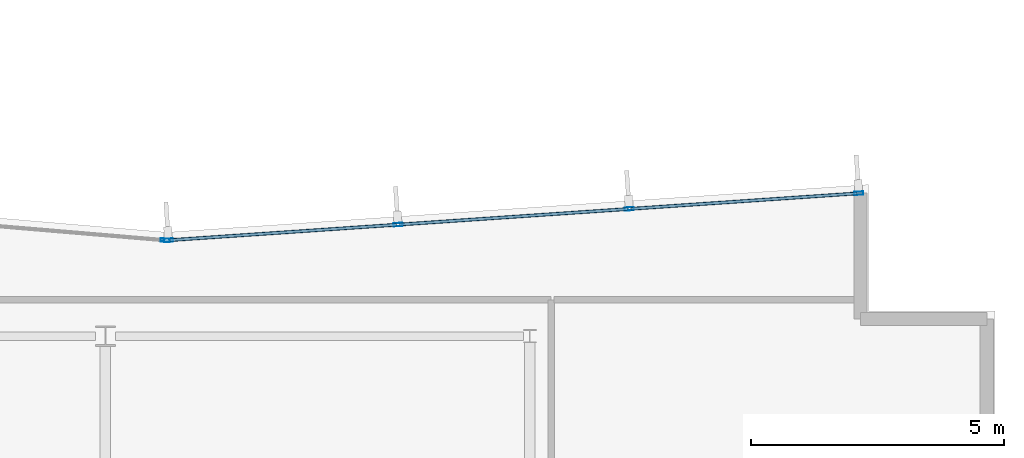
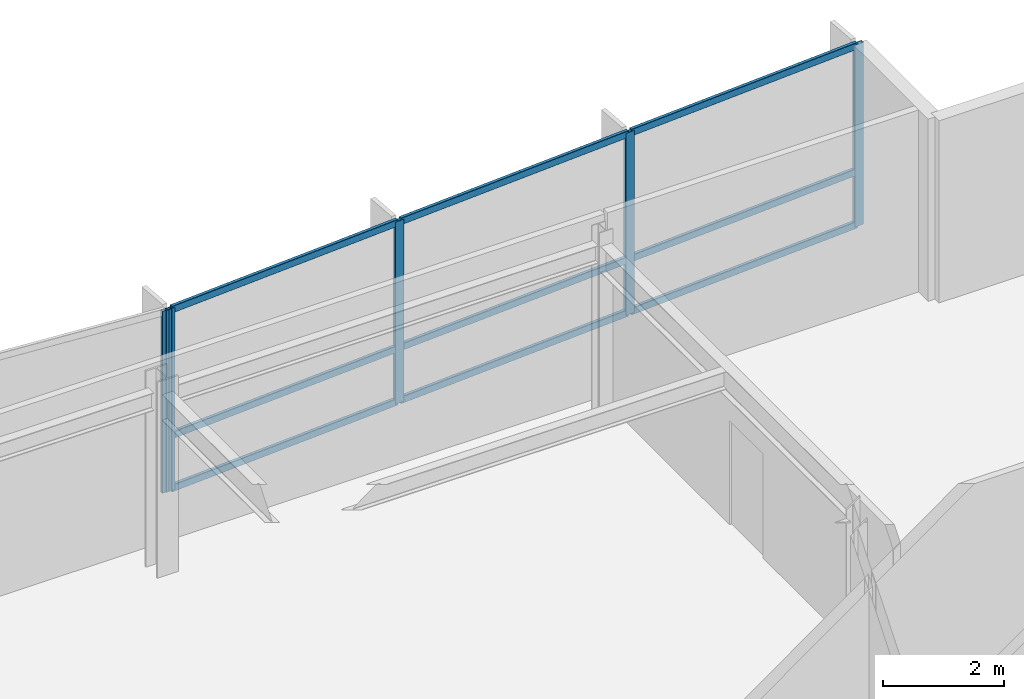
# One storey, part 7 of 15: 14 members, 2 elements without a shape of their own.
"""IFC4 building model written with IfcOpenShell, lengths in metres."""

from ifc_helpers import new_model, si_unit, direction, frame, origin, origin_2d, place, context, subcontext, project, spatial, hollow_rectangle, extrude, material, layer, layer_set, material_profile, profile_set, type_object, element, aggregate, save


model = new_model("IFC4")

# Units and contexts
model_context = context("Model", 3, precision=1e-05, world=origin(), true_north=direction((0.0, 1.0)))
body_context = subcontext(model_context, "Body", "Model", "MODEL_VIEW")
ifc_project = project(units=[si_unit("LENGTHUNIT", "METRE"), si_unit("AREAUNIT", "SQUARE_METRE"), si_unit("VOLUMEUNIT", "CUBIC_METRE"), si_unit("PLANEANGLEUNIT", "RADIAN"), si_unit("MASSUNIT", "GRAM", prefix="KILO")], contexts=[model_context])

# Site, building, storey
site_placement = place(None, origin())
site = spatial("IfcSite", under=ifc_project, at=site_placement, CompositionType="ELEMENT")
building_placement = place(site_placement, origin())
building = spatial("IfcBuilding", under=site, at=building_placement, Name="Varnakote Quay Hospital", CompositionType="ELEMENT")
storey_placement = place(building_placement, frame((0.0, 0.0, 231.60009765625)))
storey = spatial("IfcBuildingStorey", under=building, at=storey_placement, Name="L57", CompositionType="ELEMENT", Elevation=231.60009765625)

# Curtain wall, members
ifc_material_1 = material(Name="Anodised aluminium 6063-T6 Bronze", Category="aluminium")
ifc_layer = layer(ifc_material_1, 0.219970703125)
ifc_layer_set = layer_set([ifc_layer], Name="Anodised aluminium 6063-T6 Bronze")
curtain_wall_type = type_object("IfcCurtainWallType", Name="CW-SYS-4", PredefinedType="NOTDEFINED", material=ifc_layer_set)
curtain_wall_1_placement = place(storey_placement, origin())
curtain_wall_1 = element("IfcCurtainWall", 1, at=curtain_wall_1_placement, inside=storey, type_object=curtain_wall_type, Name="L57 Unitised Bronze Curtain Wall 1", PredefinedType="NOTDEFINED")
ifc_material_2 = material(Name="Anodised aluminium 6063-T6 Bronze", Category="aluminium")
ifc_material_profile_1 = material_profile(ifc_material_2, hollow_rectangle(XDim=0.06494140625, YDim=0.179931640625, WallThickness=0.00390625, InnerFilletRadius=0.00390625, OuterFilletRadius=0.008056640625, at=origin_2d()), Name="CW-MULL-180x65")
ifc_profile_set_1 = profile_set([ifc_material_profile_1], Name="Anodised aluminium 6063-T6 Bronze")
member_type_1 = type_object("IfcMemberType", Name="CW-MULL-180x65", PredefinedType="MULLION", material=ifc_profile_set_1)
member_1_placement = place(storey_placement, frame((48.507568359375, 31.626708984375, 0.0), z_axis=(0.0, 0.0, 1.0), x_axis=(0.067841851077, -0.997696087615, 0.0)))
member_1 = element("IfcMember", 2, at=member_1_placement, type_object=member_type_1, Name="-4-L57-1 mullion 1", PredefinedType="MULLION", context=body_context, shape_type="SweptSolid", body=[
    extrude(hollow_rectangle(XDim=0.06494140625, YDim=0.179931640625, WallThickness=0.00390625, InnerFilletRadius=0.00390625, OuterFilletRadius=0.008056640625, at=origin_2d()), origin(), (0.0, 0.0, 1.0), 3.669921875),
])
member_2_placement = place(storey_placement, frame((43.96484375, 31.317626953125, 0.0), z_axis=(0.0, 0.0, 1.0), x_axis=(0.067841851077, -0.997696087615, 0.0)))
member_2 = element("IfcMember", 3, at=member_2_placement, type_object=member_type_1, Name="-4-L57-1 mullion 2", PredefinedType="MULLION", context=body_context, shape_type="SweptSolid", body=[
    extrude(hollow_rectangle(XDim=0.06494140625, YDim=0.179931640625, WallThickness=0.00390625, InnerFilletRadius=0.00390625, OuterFilletRadius=0.008056640625, at=origin_2d()), origin(), (0.0, 0.0, 1.0), 3.669921875),
])
member_3_placement = place(storey_placement, frame((39.389892578125, 31.006591796875, 0.0), z_axis=(0.0, 0.0, 1.0), x_axis=(0.067841851077, -0.997696087615, 0.0)))
member_3 = element("IfcMember", 4, at=member_3_placement, type_object=member_type_1, Name="-4-L57-1 mullion 3", PredefinedType="MULLION", context=body_context, shape_type="SweptSolid", body=[
    extrude(hollow_rectangle(XDim=0.06494140625, YDim=0.179931640625, WallThickness=0.00390625, InnerFilletRadius=0.00390625, OuterFilletRadius=0.008056640625, at=origin_2d()), origin(), (0.0, 0.0, 1.0), 3.669921875),
])
member_4_placement = place(storey_placement, frame((34.84716796875, 30.69775390625, 0.0), z_axis=(0.0, 0.0, 1.0), x_axis=(0.067841851077, -0.997696087615, 0.0)))
member_4 = element("IfcMember", 5, at=member_4_placement, type_object=member_type_1, Name="-4-L57-1 mullion 4", PredefinedType="MULLION", context=body_context, shape_type="SweptSolid", body=[
    extrude(hollow_rectangle(XDim=0.06494140625, YDim=0.179931640625, WallThickness=0.00390625, InnerFilletRadius=0.00390625, OuterFilletRadius=0.008056640625, at=origin_2d()), origin(), (0.0, 0.0, 1.0), 3.669921875),
])

# Curtain wall, member
curtain_wall_2_placement = place(storey_placement, origin())
curtain_wall_2 = element("IfcCurtainWall", 6, at=curtain_wall_2_placement, inside=storey, type_object=curtain_wall_type, Name="L57 Unitised Bronze Curtain Wall 2", PredefinedType="NOTDEFINED")
member_5_placement = place(storey_placement, frame((34.7822265625, 30.6982421875, 0.0), z_axis=(0.0, 0.0, 1.0), x_axis=(-0.084136040089, -0.996454277304, 0.0)))
member_5 = element("IfcMember", 7, at=member_5_placement, type_object=member_type_1, Name="-4-L57-2 mullion 1", PredefinedType="MULLION", context=body_context, shape_type="SweptSolid", body=[
    extrude(hollow_rectangle(XDim=0.06494140625, YDim=0.179931640625, WallThickness=0.00390625, InnerFilletRadius=0.00390625, OuterFilletRadius=0.008056640625, at=origin_2d()), origin(), (0.0, 0.0, 1.0), 3.669921875),
])
aggregate(curtain_wall_2, [member_5])

# Member
ifc_material_3 = material(Name="Anodised aluminium 6063-T6 Bronze", Category="aluminium")
ifc_material_profile_2 = material_profile(ifc_material_3, hollow_rectangle(XDim=0.06494140625, YDim=0.139892578125, WallThickness=0.00390625, InnerFilletRadius=0.00390625, OuterFilletRadius=0.007568359375, at=origin_2d()), Name="CW-TRAN-140x65")
ifc_profile_set_2 = profile_set([ifc_material_profile_2], Name="Anodised aluminium 6063-T6 Bronze")
member_type_2 = type_object("IfcMemberType", Name="CW-TRAN-140x65", PredefinedType="USERDEFINED", material=ifc_profile_set_2)
member_6_placement = place(storey_placement, frame((48.47509765625, 31.62451171875, 0.032470703125), z_axis=(-0.997692996523, -0.067887294022, 0.0), x_axis=(0.067887294022, -0.997692996523, 0.0)))
member_6 = element("IfcMember", 8, at=member_6_placement, type_object=member_type_2, Name="-4-L57-1 transom 1.1", ObjectType="TRANSOM", PredefinedType="USERDEFINED", context=body_context, shape_type="SweptSolid", body=[
    extrude(hollow_rectangle(XDim=0.06494140625, YDim=0.139892578125, WallThickness=0.00390625, InnerFilletRadius=0.00390625, OuterFilletRadius=0.007568359375, at=origin_2d()), origin(), (0.0, 0.0, 1.0), 4.488037109375),
])

member_7_placement = place(storey_placement, frame((48.47509765625, 31.62451171875, 1.099853515625), z_axis=(-0.997692996523, -0.067887294022, 0.0), x_axis=(0.067887294022, -0.997692996523, 0.0)))
member_7 = element("IfcMember", 9, at=member_7_placement, type_object=member_type_2, Name="-4-L57-1 transom 1.2", ObjectType="TRANSOM", PredefinedType="USERDEFINED", context=body_context, shape_type="SweptSolid", body=[
    extrude(hollow_rectangle(XDim=0.06494140625, YDim=0.139892578125, WallThickness=0.00390625, InnerFilletRadius=0.00390625, OuterFilletRadius=0.007568359375, at=origin_2d()), origin(), (0.0, 0.0, 1.0), 4.488037109375),
])

member_8_placement = place(storey_placement, frame((48.47509765625, 31.62451171875, 3.637451171875), z_axis=(-0.997692996523, -0.067887294022, 0.0), x_axis=(0.067887294022, -0.997692996523, 0.0)))
member_8 = element("IfcMember", 10, at=member_8_placement, type_object=member_type_2, Name="-4-L57-1 transom 1.3", ObjectType="TRANSOM", PredefinedType="USERDEFINED", context=body_context, shape_type="SweptSolid", body=[
    extrude(hollow_rectangle(XDim=0.06494140625, YDim=0.139892578125, WallThickness=0.00390625, InnerFilletRadius=0.00390625, OuterFilletRadius=0.007568359375, at=origin_2d()), origin(), (0.0, 0.0, 1.0), 4.488037109375),
])

member_9_placement = place(storey_placement, frame((43.932373046875, 31.3154296875, 0.032470703125), z_axis=(-0.997696835235, -0.06783085553, 0.0), x_axis=(0.06783085553, -0.997696835235, 0.0)))
member_9 = element("IfcMember", 11, at=member_9_placement, type_object=member_type_2, Name="-4-L57-1 transom 2.1", ObjectType="TRANSOM", PredefinedType="USERDEFINED", context=body_context, shape_type="SweptSolid", body=[
    extrude(hollow_rectangle(XDim=0.06494140625, YDim=0.139892578125, WallThickness=0.00390625, InnerFilletRadius=0.00390625, OuterFilletRadius=0.007568359375, at=origin_2d()), origin(), (0.0, 0.0, 1.0), 4.520751953125),
])

member_10_placement = place(storey_placement, frame((43.932373046875, 31.3154296875, 1.099853515625), z_axis=(-0.997696835235, -0.06783085553, 0.0), x_axis=(0.06783085553, -0.997696835235, 0.0)))
member_10 = element("IfcMember", 12, at=member_10_placement, type_object=member_type_2, Name="-4-L57-1 transom 2.2", ObjectType="TRANSOM", PredefinedType="USERDEFINED", context=body_context, shape_type="SweptSolid", body=[
    extrude(hollow_rectangle(XDim=0.06494140625, YDim=0.139892578125, WallThickness=0.00390625, InnerFilletRadius=0.00390625, OuterFilletRadius=0.007568359375, at=origin_2d()), origin(), (0.0, 0.0, 1.0), 4.520751953125),
])

member_11_placement = place(storey_placement, frame((43.932373046875, 31.3154296875, 3.637451171875), z_axis=(-0.997696835235, -0.06783085553, 0.0), x_axis=(0.06783085553, -0.997696835235, 0.0)))
member_11 = element("IfcMember", 13, at=member_11_placement, type_object=member_type_2, Name="-4-L57-1 transom 2.3", ObjectType="TRANSOM", PredefinedType="USERDEFINED", context=body_context, shape_type="SweptSolid", body=[
    extrude(hollow_rectangle(XDim=0.06494140625, YDim=0.139892578125, WallThickness=0.00390625, InnerFilletRadius=0.00390625, OuterFilletRadius=0.007568359375, at=origin_2d()), origin(), (0.0, 0.0, 1.0), 4.520751953125),
])

member_12_placement = place(storey_placement, frame((39.357421875, 31.00439453125, 0.032470703125), z_axis=(-0.997696679404, -0.06783314755, 0.0), x_axis=(0.06783314755, -0.997696679404, 0.0)))
member_12 = element("IfcMember", 14, at=member_12_placement, type_object=member_type_2, Name="-4-L57-1 transom 3.1", ObjectType="TRANSOM", PredefinedType="USERDEFINED", context=body_context, shape_type="SweptSolid", body=[
    extrude(hollow_rectangle(XDim=0.06494140625, YDim=0.139892578125, WallThickness=0.00390625, InnerFilletRadius=0.00390625, OuterFilletRadius=0.007568359375, at=origin_2d()), origin(), (0.0, 0.0, 1.0), 4.488037109375),
])

member_13_placement = place(storey_placement, frame((39.357421875, 31.00439453125, 1.099853515625), z_axis=(-0.997696679404, -0.06783314755, 0.0), x_axis=(0.06783314755, -0.997696679404, 0.0)))
member_13 = element("IfcMember", 15, at=member_13_placement, type_object=member_type_2, Name="-4-L57-1 transom 3.2", ObjectType="TRANSOM", PredefinedType="USERDEFINED", context=body_context, shape_type="SweptSolid", body=[
    extrude(hollow_rectangle(XDim=0.06494140625, YDim=0.139892578125, WallThickness=0.00390625, InnerFilletRadius=0.00390625, OuterFilletRadius=0.007568359375, at=origin_2d()), origin(), (0.0, 0.0, 1.0), 4.488037109375),
])

member_14_placement = place(storey_placement, frame((39.357421875, 31.00439453125, 3.637451171875), z_axis=(-0.997696679404, -0.06783314755, 0.0), x_axis=(0.06783314755, -0.997696679404, 0.0)))
member_14 = element("IfcMember", 16, at=member_14_placement, type_object=member_type_2, Name="-4-L57-1 transom 3.3", ObjectType="TRANSOM", PredefinedType="USERDEFINED", context=body_context, shape_type="SweptSolid", body=[
    extrude(hollow_rectangle(XDim=0.06494140625, YDim=0.139892578125, WallThickness=0.00390625, InnerFilletRadius=0.00390625, OuterFilletRadius=0.007568359375, at=origin_2d()), origin(), (0.0, 0.0, 1.0), 4.488037109375),
])

aggregate(curtain_wall_1, [member_1, member_2, member_3, member_4, member_6, member_7, member_8, member_9, member_10, member_11, member_12, member_13, member_14])

save(model, "model.ifc")
